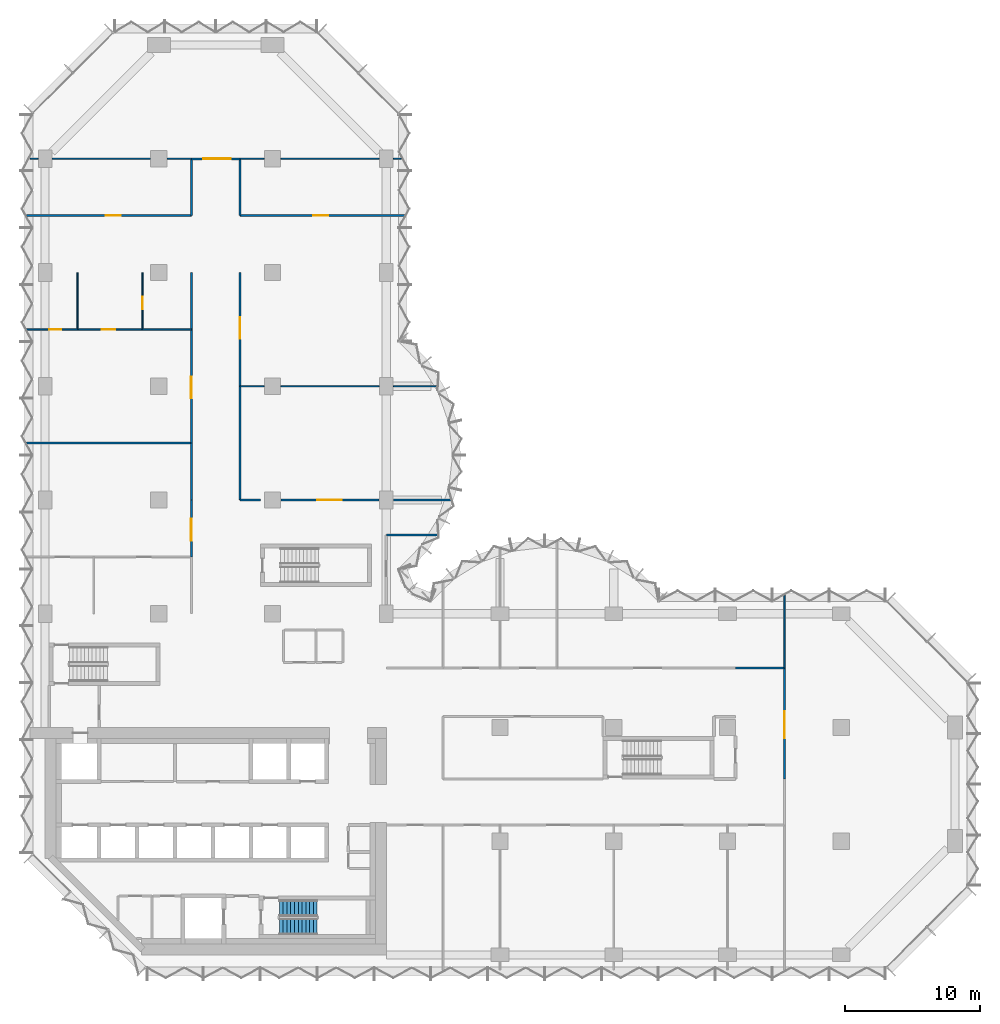
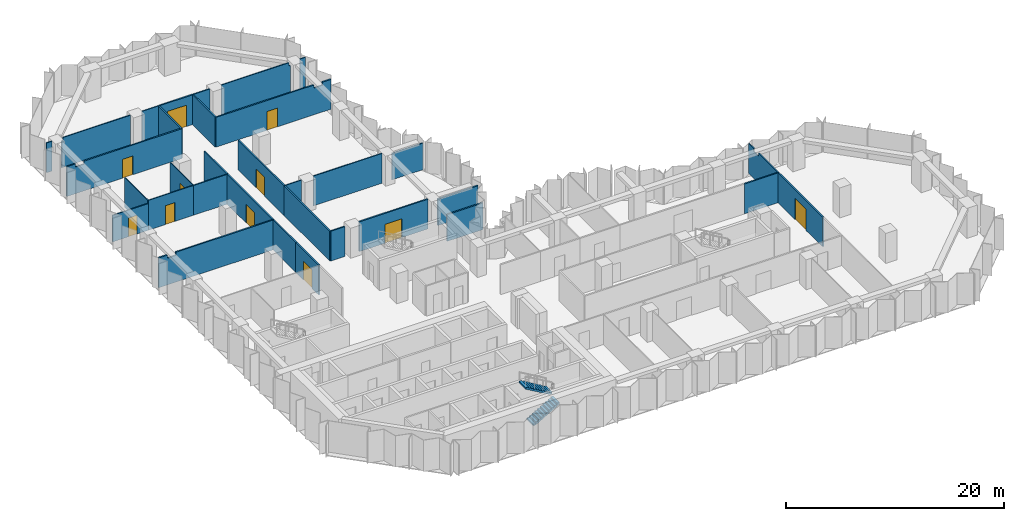
# One storey, part 10 of 13: 33 walls, 11 doors, 2 stair flights, 11 openings, 1 element without a shape of its own.
"""IFC4 building model written with IfcOpenShell, lengths in metres."""

from ifc_helpers import new_model, si_unit, direction, frame, frame_2d, origin, place, context, subcontext, project, spatial, polyline, rectangle, outline, extrude, material, layer, layer_set, type_object, element, fill, aggregate, save


model = new_model("IFC4")

# Units and contexts
model_context = context("Model", 3, precision=1e-05, world=origin(), true_north=direction((0.0, 1.0)))
body_context = subcontext(model_context, "Body", "Model", "MODEL_VIEW")
ifc_project = project(units=[si_unit("LENGTHUNIT", "METRE"), si_unit("AREAUNIT", "SQUARE_METRE"), si_unit("VOLUMEUNIT", "CUBIC_METRE"), si_unit("PLANEANGLEUNIT", "RADIAN"), si_unit("MASSUNIT", "GRAM", prefix="KILO")], contexts=[model_context])

# Site, building, storey
site_placement = place(None, origin())
site = spatial("IfcSite", under=ifc_project, at=site_placement, CompositionType="ELEMENT")
building_placement = place(site_placement, origin())
building = spatial("IfcBuilding", under=site, at=building_placement, Name="Brevane Broadcast Tower", CompositionType="ELEMENT")
storey_placement = place(building_placement, frame((0.0, 0.0, 120.5)))
storey = spatial("IfcBuildingStorey", under=building, at=storey_placement, Name="L29", CompositionType="ELEMENT", Elevation=120.5)

# Walls
ifc_material_1 = material(Name="Gypsum board partition")
ifc_layer_1 = layer(ifc_material_1, 0.10009765625)
ifc_layer_set_1 = layer_set([ifc_layer_1], Name="PARTITION 100 STUD")
wall_type_1 = type_object("IfcWallType", Name="PARTITION 100 STUD", PredefinedType="PARTITIONING", material=ifc_layer_set_1)
wall_1_placement = place(storey_placement, frame((54.60009765625, 21.199951171875, 0.0), z_axis=(0.0, 0.0, 1.0), x_axis=(0.0, 1.0, 0.0)))
element("IfcWall", 1, at=wall_1_placement, inside=storey, type_object=wall_type_1, Name="Partition G08-016", PredefinedType="PARTITIONING", context=body_context, shape_type="SweptSolid", body=[
    extrude(outline(polyline([(0.0, 0.0), (5.364990234375, 0.0), (5.364990234375, 3.330078125), (5.10009765625, 3.330078125), (4.449951171875, 3.330078125), (4.447998046875, 2.97998046875), (3.552001953125, 2.97998046875), (3.550048828125, 3.330078125), (0.0, 3.330078125), (0.0, 0.0)])), frame((0.0, 0.050048828125, 0.0), z_axis=(0.0, -1.0, 0.0), x_axis=(1.0, 0.0, 0.0)), (0.0, 0.0, 1.0), 0.10009765625),
])
wall_2_placement = place(storey_placement, frame((10.800048828125, 58.800048828125, 0.0), z_axis=(0.0, 0.0, 1.0), x_axis=(-1.0, 0.0, 0.0)))
element("IfcWall", 2, at=wall_2_placement, inside=storey, type_object=wall_type_1, Name="Partition G08-052", PredefinedType="PARTITIONING", context=body_context, shape_type="SweptSolid", body=[
    extrude(rectangle(XDim=1.780029296875, YDim=0.10009765625, at=frame_2d((0.89013671875, 0.0))), origin(), (0.0, 0.0, 1.0), 3.330078125),
])
wall_3_placement = place(storey_placement, frame((7.780029296875, 58.800048828125, 0.0), z_axis=(0.0, 0.0, 1.0), x_axis=(-1.0, 0.0, 0.0)))
element("IfcWall", 3, at=wall_3_placement, inside=storey, type_object=wall_type_1, Name="Partition G08-053", PredefinedType="PARTITIONING", context=body_context, shape_type="SweptSolid", body=[
    extrude(outline(polyline([(0.0, 0.0), (7.260009765625, 0.0), (7.260009765625, 2.97998046875), (7.1162109375, 2.97998046875), (7.1142578125, 3.330078125), (0.0, 3.330078125), (0.0, 0.0)])), frame((0.0, 0.050048828125, 0.0), z_axis=(0.0, -1.0, 0.0), x_axis=(1.0, 0.0, 0.0)), (0.0, 0.0, 1.0), 0.10009765625),
])
for number, where, z_axis, x_axis, name in (
    (4, (-0.52001953125, 58.800048828125, 0.0), (0.0, 0.0, 1.0), (-1.0, 0.0, 0.0), "Partition G08-054"),
    (5, (26.300048828125, 58.800048828125, 0.0), (0.0, 0.0, 1.0), (-1.0, 0.0, 0.0), "Partition G08-055"),
):
    element("IfcWall", number, at=place(storey_placement, frame(where, z_axis=z_axis, x_axis=x_axis)), inside=storey, type_object=wall_type_1, Name=name, PredefinedType="PARTITIONING", context=body_context, shape_type="SweptSolid", body=[
        extrude(rectangle(XDim=0.580078125, YDim=0.10009765625, at=frame_2d((0.2900390625, 0.0))), origin(), (0.0, 0.0, 1.0), 3.330078125),
    ])
wall_4_placement = place(storey_placement, frame((24.679931640625, 58.800048828125, 0.0), z_axis=(0.0, 0.0, 1.0), x_axis=(-1.0, 0.0, 0.0)))
element("IfcWall", 6, at=wall_4_placement, inside=storey, type_object=wall_type_1, Name="Partition G08-056", PredefinedType="PARTITIONING", context=body_context, shape_type="SweptSolid", body=[
    extrude(outline(polyline([(0.0, 0.0), (7.260009765625, 0.0), (7.260009765625, 3.330078125), (0.145751953125, 3.330078125), (0.143798828125, 2.97998046875), (0.0, 2.97998046875), (0.0, 0.0)])), frame((0.0, 0.050048828125, 0.0), z_axis=(0.0, -1.0, 0.0), x_axis=(1.0, 0.0, 0.0)), (0.0, 0.0, 1.0), 0.10009765625),
])
wall_5_placement = place(storey_placement, frame((16.179931640625, 58.800048828125, 0.0), z_axis=(0.0, 0.0, 1.0), x_axis=(-1.0, 0.0, 0.0)))
element("IfcWall", 7, at=wall_5_placement, inside=storey, type_object=wall_type_1, Name="Partition G08-057", PredefinedType="PARTITIONING", context=body_context, shape_type="SweptSolid", body=[
    extrude(rectangle(XDim=1.780029296875, YDim=0.10009765625, at=frame_2d((0.89013671875, 0.0))), origin(), (0.0, 0.0, 1.0), 3.330078125),
])

# Wall, opening, door
wall_6_placement = place(storey_placement, frame((-1.364990234375, 46.199951171875, 0.0), z_axis=(0.0, 0.0, 1.0), x_axis=(1.0, 0.0, 0.0)))
wall_6 = element("IfcWall", 8, at=wall_6_placement, inside=storey, type_object=wall_type_1, Name="Partition G08-063", PredefinedType="PARTITIONING", context=body_context, shape_type="SweptSolid", body=[
    extrude(rectangle(XDim=3.764892578125, YDim=0.10009765625, at=frame_2d((1.88232421875, 0.0))), origin(), (0.0, 0.0, 1.0), 2.97998046875),
])
opening_1_placement = place(wall_6_placement, frame((1.6650390625, 0.0, 0.0)))
opening_1 = element("IfcOpeningElement", 9, at=opening_1_placement, cuts=wall_6, Name="Opening D15-018", PredefinedType="OPENING", context=body_context, shape_type="SweptSolid", body=[
    extrude(rectangle(XDim=0.89990234375, YDim=2.10009765625, at=frame_2d((0.449951171875, 1.050048828125))), frame((0.0, 0.06005859375, 0.0), z_axis=(0.0, -1.0, 0.0), x_axis=(1.0, 0.0, 0.0)), (0.0, 0.0, 1.0), 0.1201171875),
])
ifc_material_2 = material(Name="Timber door leaf", Category="wood")
door_type_1 = type_object("IfcDoorType", Name="DOOR SINGLE 900 INTERNAL", OperationType="SINGLE_SWING_LEFT", PredefinedType="DOOR", material=ifc_material_2)
door_1_placement = place(opening_1_placement, origin())
door_1 = element("IfcDoor", 10, at=door_1_placement, inside=storey, type_object=door_type_1, Name="Door D15-018", OperationType="SINGLE_SWING_LEFT", OverallHeight=2.10009765625, OverallWidth=0.89990234375, PredefinedType="DOOR", context=body_context, shape_type="SweptSolid", body=[
    extrude(rectangle(XDim=0.89990234375, YDim=2.10009765625, at=frame_2d((0.449951171875, 1.050048828125))), frame((0.0, 0.02490234375, 0.0), z_axis=(0.0, -1.0, 0.0), x_axis=(1.0, 0.0, 0.0)), (0.0, 0.0, 1.0), 0.050048828125),
])
fill(opening_1, door_1)

wall_7_placement = place(storey_placement, frame((2.39990234375, 46.199951171875, 0.0), z_axis=(0.0, 0.0, 1.0), x_axis=(1.0, 0.0, 0.0)))
wall_7 = element("IfcWall", 11, at=wall_7_placement, inside=storey, type_object=wall_type_1, Name="Partition G08-064", PredefinedType="PARTITIONING", context=body_context, shape_type="SweptSolid", body=[
    extrude(rectangle(XDim=4.800048828125, YDim=0.10009765625, at=frame_2d((2.39990234375, 0.0))), origin(), (0.0, 0.0, 1.0), 3.330078125),
])
opening_2_placement = place(wall_7_placement, frame((1.800048828125, 0.0, 0.0)))
opening_2 = element("IfcOpeningElement", 12, at=opening_2_placement, cuts=wall_7, Name="Opening D15-019", PredefinedType="OPENING", context=body_context, shape_type="SweptSolid", body=[
    extrude(rectangle(XDim=1.0, YDim=2.10009765625, at=frame_2d((0.5, 1.050048828125))), frame((0.0, 0.06005859375, 0.0), z_axis=(0.0, -1.0, 0.0), x_axis=(1.0, 0.0, 0.0)), (0.0, 0.0, 1.0), 0.1201171875),
])
door_type_2 = type_object("IfcDoorType", Name="DOOR SINGLE 1000 INTERNAL", OperationType="SINGLE_SWING_LEFT", PredefinedType="DOOR", material=ifc_material_2)
door_2_placement = place(opening_2_placement, origin())
door_2 = element("IfcDoor", 13, at=door_2_placement, inside=storey, type_object=door_type_2, Name="Door D15-019", OperationType="SINGLE_SWING_LEFT", OverallHeight=2.10009765625, OverallWidth=1.0, PredefinedType="DOOR", context=body_context, shape_type="SweptSolid", body=[
    extrude(rectangle(XDim=1.0, YDim=2.10009765625, at=frame_2d((0.5, 1.050048828125))), frame((0.0, 0.02490234375, 0.0), z_axis=(0.0, -1.0, 0.0), x_axis=(1.0, 0.0, 0.0)), (0.0, 0.0, 1.0), 0.050048828125),
])
fill(opening_2, door_2)

# Walls
wall_8_placement = place(storey_placement, frame((7.199951171875, 46.199951171875, 0.0), z_axis=(0.0, 0.0, 1.0), x_axis=(1.0, 0.0, 0.0)))
element("IfcWall", 14, at=wall_8_placement, inside=storey, type_object=wall_type_1, Name="Partition G08-065", PredefinedType="PARTITIONING", context=body_context, shape_type="SweptSolid", body=[
    extrude(rectangle(XDim=3.60009765625, YDim=0.10009765625, at=frame_2d((1.800048828125, 0.0))), origin(), (0.0, 0.0, 1.0), 3.330078125),
])
wall_9_placement = place(storey_placement, frame((2.39990234375, 50.39990234375, 0.0), z_axis=(0.0, 0.0, 1.0), x_axis=(0.0, -1.0, 0.0)))
element("IfcWall", 15, at=wall_9_placement, inside=storey, type_object=wall_type_1, Name="Partition G08-066", PredefinedType="PARTITIONING", context=body_context, shape_type="SweptSolid", body=[
    extrude(rectangle(XDim=4.199951171875, YDim=0.10009765625, at=frame_2d((2.10009765625, 0.0))), origin(), (0.0, 0.0, 1.0), 3.330078125),
])

# Wall, opening, door
wall_10_placement = place(storey_placement, frame((7.199951171875, 50.39990234375, 0.0), z_axis=(0.0, 0.0, 1.0), x_axis=(0.0, -1.0, 0.0)))
wall_10 = element("IfcWall", 16, at=wall_10_placement, inside=storey, type_object=wall_type_1, Name="Partition G08-067", PredefinedType="PARTITIONING", context=body_context, shape_type="SweptSolid", body=[
    extrude(rectangle(XDim=4.199951171875, YDim=0.10009765625, at=frame_2d((2.10009765625, 0.0))), origin(), (0.0, 0.0, 1.0), 3.330078125),
])
opening_3_placement = place(wall_10_placement, frame((1.800048828125, 0.0, 0.0)))
opening_3 = element("IfcOpeningElement", 17, at=opening_3_placement, cuts=wall_10, Name="Opening D15-020", PredefinedType="OPENING", context=body_context, shape_type="SweptSolid", body=[
    extrude(rectangle(XDim=0.89990234375, YDim=2.10009765625, at=frame_2d((0.449951171875, 1.050048828125))), frame((0.0, 0.06005859375, 0.0), z_axis=(0.0, -1.0, 0.0), x_axis=(1.0, 0.0, 0.0)), (0.0, 0.0, 1.0), 0.1201171875),
])
door_3_placement = place(opening_3_placement, origin())
door_3 = element("IfcDoor", 18, at=door_3_placement, inside=storey, type_object=door_type_1, Name="Door D15-020", OperationType="SINGLE_SWING_LEFT", OverallHeight=2.10009765625, OverallWidth=0.89990234375, PredefinedType="DOOR", context=body_context, shape_type="SweptSolid", body=[
    extrude(rectangle(XDim=0.89990234375, YDim=2.10009765625, at=frame_2d((0.449951171875, 1.050048828125))), frame((0.0, 0.02490234375, 0.0), z_axis=(0.0, -1.0, 0.0), x_axis=(1.0, 0.0, 0.0)), (0.0, 0.0, 1.0), 0.050048828125),
])
fill(opening_3, door_3)

# Walls
wall_11_placement = place(storey_placement, frame((14.39990234375, 42.0, 0.0), z_axis=(0.0, 0.0, 1.0), x_axis=(1.0, 0.0, 0.0)))
element("IfcWall", 19, at=wall_11_placement, inside=storey, type_object=wall_type_1, Name="Partition G08-069", PredefinedType="PARTITIONING", context=body_context, shape_type="SweptSolid", body=[
    extrude(rectangle(XDim=1.780029296875, YDim=0.10009765625, at=frame_2d((0.89013671875, 0.0))), origin(), (0.0, 0.0, 1.0), 3.330078125),
])
wall_12_placement = place(storey_placement, frame((17.419921875, 42.0, 0.0), z_axis=(0.0, 0.0, 1.0), x_axis=(1.0, 0.0, 0.0)))
element("IfcWall", 20, at=wall_12_placement, inside=storey, type_object=wall_type_1, Name="Partition G08-070", PredefinedType="PARTITIONING", context=body_context, shape_type="SweptSolid", body=[
    extrude(rectangle(XDim=7.260009765625, YDim=0.10009765625, at=frame_2d((3.6298828125, 0.0))), origin(), (0.0, 0.0, 1.0), 3.330078125),
])
wall_13_placement = place(storey_placement, frame((25.719970703125, 42.0, 0.0), z_axis=(0.0, 0.0, 1.0), x_axis=(1.0, 0.0, 0.0)))
element("IfcWall", 21, at=wall_13_placement, inside=storey, type_object=wall_type_1, Name="Partition G08-071", PredefinedType="PARTITIONING", context=body_context, shape_type="SweptSolid", body=[
    extrude(rectangle(XDim=3.29150390625, YDim=0.10009765625, at=frame_2d((1.645751953125, 0.0))), origin(), (0.0, 0.0, 1.0), 2.97998046875),
])
ifc_layer_2 = layer(ifc_material_1, 0.14990234375)
ifc_layer_set_2 = layer_set([ifc_layer_2], Name="PARTITION 150 EI 60")
wall_type_2 = type_object("IfcWallType", Name="PARTITION 150 EI 60", PredefinedType="PARTITIONING", material=ifc_layer_set_2)
wall_14_placement = place(storey_placement, frame((25.199951171875, 31.0, 0.0), z_axis=(0.0, 0.0, 1.0), x_axis=(1.0, 0.0, 0.0)))
element("IfcWall", 22, at=wall_14_placement, inside=storey, type_object=wall_type_2, Name="Partition G08-006", PredefinedType="PARTITIONING", context=body_context, shape_type="SweptSolid", body=[
    extrude(rectangle(XDim=3.80615234375, YDim=0.14990234375, at=frame_2d((1.903076171875, 0.0))), origin(), (0.0, 0.0, 1.0), 2.97998046875),
])

# Wall, opening, door
wall_15_placement = place(storey_placement, frame((54.60009765625, 21.199951171875, 0.0), z_axis=(0.0, 0.0, 1.0), x_axis=(0.0, -1.0, 0.0)))
wall_15 = element("IfcWall", 23, at=wall_15_placement, inside=storey, type_object=wall_type_2, Name="Partition G08-014", PredefinedType="PARTITIONING", context=body_context, shape_type="SweptSolid", body=[
    extrude(rectangle(XDim=8.199951171875, YDim=0.14990234375, at=frame_2d((4.10009765625, 0.0))), origin(), (0.0, 0.0, 1.0), 3.330078125),
])
opening_4_placement = place(wall_15_placement, frame((3.199951171875, 0.0, 0.0)))
opening_4 = element("IfcOpeningElement", 24, at=opening_4_placement, cuts=wall_15, Name="Opening D15-002", PredefinedType="OPENING", context=body_context, shape_type="SweptSolid", body=[
    extrude(rectangle(XDim=2.0, YDim=2.39990234375, at=frame_2d((1.0, 1.199951171875))), frame((0.0, 0.0849609375, 0.0), z_axis=(0.0, -1.0, 0.0), x_axis=(1.0, 0.0, 0.0)), (0.0, 0.0, 1.0), 0.169921875),
])
ifc_material_3 = material(Name="Fire-rated timber door leaf", Category="wood")
door_type_3 = type_object("IfcDoorType", Name="DOOR DOUBLE 2000 FD30S", OperationType="DOUBLE_DOOR_SINGLE_SWING", PredefinedType="DOOR", material=ifc_material_3)
door_4_placement = place(opening_4_placement, origin())
door_4 = element("IfcDoor", 25, at=door_4_placement, inside=storey, type_object=door_type_3, Name="Door D15-002", OperationType="DOUBLE_DOOR_SINGLE_SWING", OverallHeight=2.39990234375, OverallWidth=2.0, PredefinedType="DOOR", context=body_context, shape_type="SweptSolid", body=[
    extrude(rectangle(XDim=2.0, YDim=2.39990234375, at=frame_2d((1.0, 1.199951171875))), frame((0.0, 0.02490234375, 0.0), z_axis=(0.0, -1.0, 0.0), x_axis=(1.0, 0.0, 0.0)), (0.0, 0.0, 1.0), 0.050048828125),
])
fill(opening_4, door_4)

# Wall
wall_16_placement = place(storey_placement, frame((51.0, 21.199951171875, 0.0), z_axis=(0.0, 0.0, 1.0), x_axis=(1.0, 0.0, 0.0)))
element("IfcWall", 26, at=wall_16_placement, inside=storey, type_object=wall_type_2, Name="Partition G08-025", PredefinedType="PARTITIONING", context=body_context, shape_type="SweptSolid", body=[
    extrude(rectangle(XDim=3.60009765625, YDim=0.14990234375, at=frame_2d((1.800048828125, 0.0))), origin(), (0.0, 0.0, 1.0), 3.330078125),
])

# Wall, opening, door
wall_17_placement = place(storey_placement, frame((10.800048828125, 29.39990234375, 0.0), z_axis=(0.0, 0.0, 1.0), x_axis=(0.0, 1.0, 0.0)))
wall_17 = element("IfcWall", 27, at=wall_17_placement, inside=storey, type_object=wall_type_2, Name="Partition G08-039", PredefinedType="PARTITIONING", context=body_context, shape_type="SweptSolid", body=[
    extrude(rectangle(XDim=4.2001953125, YDim=0.14990234375, at=frame_2d((2.10009765625, 0.0))), origin(), (0.0, 0.0, 1.0), 3.330078125),
])
opening_5_placement = place(wall_17_placement, frame((1.199951171875, 0.0, 0.0)))
opening_5 = element("IfcOpeningElement", 28, at=opening_5_placement, cuts=wall_17, Name="Opening D15-014", PredefinedType="OPENING", context=body_context, shape_type="SweptSolid", body=[
    extrude(rectangle(XDim=1.60009765625, YDim=2.10009765625, at=frame_2d((0.800048828125, 1.050048828125))), frame((0.0, 0.0849609375, 0.0), z_axis=(0.0, -1.0, 0.0), x_axis=(1.0, 0.0, 0.0)), (0.0, 0.0, 1.0), 0.169921875),
])
door_type_4 = type_object("IfcDoorType", Name="DOOR DOUBLE 1600 FD30S", OperationType="DOUBLE_DOOR_SINGLE_SWING", PredefinedType="DOOR", material=ifc_material_3)
door_5_placement = place(opening_5_placement, origin())
door_5 = element("IfcDoor", 29, at=door_5_placement, inside=storey, type_object=door_type_4, Name="Door D15-014", OperationType="DOUBLE_DOOR_SINGLE_SWING", OverallHeight=2.10009765625, OverallWidth=1.60009765625, PredefinedType="DOOR", context=body_context, shape_type="SweptSolid", body=[
    extrude(rectangle(XDim=1.60009765625, YDim=2.10009765625, at=frame_2d((0.800048828125, 1.050048828125))), frame((0.0, 0.02490234375, 0.0), z_axis=(0.0, -1.0, 0.0), x_axis=(1.0, 0.0, 0.0)), (0.0, 0.0, 1.0), 0.050048828125),
])
fill(opening_5, door_5)

# Wall
wall_18_placement = place(storey_placement, frame((14.39990234375, 33.60009765625, 0.0), z_axis=(0.0, 0.0, 1.0), x_axis=(1.0, 0.0, 0.0)))
element("IfcWall", 30, at=wall_18_placement, inside=storey, type_object=wall_type_2, Name="Partition G08-041", PredefinedType="PARTITIONING", context=body_context, shape_type="SweptSolid", body=[
    extrude(rectangle(XDim=1.5, YDim=0.14990234375, at=frame_2d((0.75, 0.0))), origin(), (0.0, 0.0, 1.0), 3.330078125),
])

# Wall, opening, door
wall_19_placement = place(storey_placement, frame((17.419921875, 33.60009765625, 0.0), z_axis=(0.0, 0.0, 1.0), x_axis=(1.0, 0.0, 0.0)))
wall_19 = element("IfcWall", 31, at=wall_19_placement, inside=storey, type_object=wall_type_2, Name="Partition G08-042", PredefinedType="PARTITIONING", context=body_context, shape_type="SweptSolid", body=[
    extrude(rectangle(XDim=7.260009765625, YDim=0.14990234375, at=frame_2d((3.6298828125, 0.0))), origin(), (0.0, 0.0, 1.0), 3.330078125),
])
opening_6_placement = place(wall_19_placement, frame((2.699951171875, 0.0, 0.0)))
opening_6 = element("IfcOpeningElement", 32, at=opening_6_placement, cuts=wall_19, Name="Opening D15-022", PredefinedType="OPENING", context=body_context, shape_type="SweptSolid", body=[
    extrude(rectangle(XDim=1.800048828125, YDim=2.10009765625, at=frame_2d((0.89990234375, 1.050048828125))), frame((0.0, 0.0849609375, 0.0), z_axis=(0.0, -1.0, 0.0), x_axis=(1.0, 0.0, 0.0)), (0.0, 0.0, 1.0), 0.169921875),
])
door_type_5 = type_object("IfcDoorType", Name="DOOR DOUBLE 1800 FD30S", OperationType="DOUBLE_DOOR_SINGLE_SWING", PredefinedType="DOOR", material=ifc_material_3)
door_6_placement = place(opening_6_placement, origin())
door_6 = element("IfcDoor", 33, at=door_6_placement, inside=storey, type_object=door_type_5, Name="Door D15-022", OperationType="DOUBLE_DOOR_SINGLE_SWING", OverallHeight=2.10009765625, OverallWidth=1.800048828125, PredefinedType="DOOR", context=body_context, shape_type="SweptSolid", body=[
    extrude(rectangle(XDim=1.800048828125, YDim=2.10009765625, at=frame_2d((0.89990234375, 1.050048828125))), frame((0.0, 0.02490234375, 0.0), z_axis=(0.0, -1.0, 0.0), x_axis=(1.0, 0.0, 0.0)), (0.0, 0.0, 1.0), 0.050048828125),
])
fill(opening_6, door_6)

# Wall
wall_20_placement = place(storey_placement, frame((25.719970703125, 33.60009765625, 0.0), z_axis=(0.0, 0.0, 1.0), x_axis=(1.0, 0.0, 0.0)))
element("IfcWall", 34, at=wall_20_placement, inside=storey, type_object=wall_type_2, Name="Partition G08-043", PredefinedType="PARTITIONING", context=body_context, shape_type="SweptSolid", body=[
    extrude(rectangle(XDim=4.268310546875, YDim=0.14990234375, at=frame_2d((2.13427734375, 0.0))), origin(), (0.0, 0.0, 1.0), 2.97998046875),
])

# Wall, opening, door
wall_21_placement = place(storey_placement, frame((10.800048828125, 58.800048828125, 0.0), z_axis=(0.0, 0.0, 1.0), x_axis=(1.0, 0.0, 0.0)))
wall_21 = element("IfcWall", 35, at=wall_21_placement, inside=storey, type_object=wall_type_2, Name="Partition G08-044", PredefinedType="PARTITIONING", context=body_context, shape_type="SweptSolid", body=[
    extrude(rectangle(XDim=3.599853515625, YDim=0.14990234375, at=frame_2d((1.7998046875, 0.0))), origin(), (0.0, 0.0, 1.0), 3.330078125),
])
opening_7_placement = place(wall_21_placement, frame((0.89990234375, 0.0, 0.0)))
opening_7 = element("IfcOpeningElement", 36, at=opening_7_placement, cuts=wall_21, Name="Opening D15-013", PredefinedType="OPENING", context=body_context, shape_type="SweptSolid", body=[
    extrude(rectangle(XDim=2.0, YDim=2.39990234375, at=frame_2d((1.0, 1.199951171875))), frame((0.0, 0.0849609375, 0.0), z_axis=(0.0, -1.0, 0.0), x_axis=(1.0, 0.0, 0.0)), (0.0, 0.0, 1.0), 0.169921875),
])
door_7_placement = place(opening_7_placement, origin())
door_7 = element("IfcDoor", 37, at=door_7_placement, inside=storey, type_object=door_type_3, Name="Door D15-013", OperationType="DOUBLE_DOOR_SINGLE_SWING", OverallHeight=2.39990234375, OverallWidth=2.0, PredefinedType="DOOR", context=body_context, shape_type="SweptSolid", body=[
    extrude(rectangle(XDim=2.0, YDim=2.39990234375, at=frame_2d((1.0, 1.199951171875))), frame((0.0, 0.02490234375, 0.0), z_axis=(0.0, -1.0, 0.0), x_axis=(1.0, 0.0, 0.0)), (0.0, 0.0, 1.0), 0.050048828125),
])
fill(opening_7, door_7)

# Wall
wall_22_placement = place(storey_placement, frame((10.800048828125, 33.60009765625, 0.0), z_axis=(0.0, 0.0, 1.0), x_axis=(0.0, 1.0, 0.0)))
element("IfcWall", 38, at=wall_22_placement, inside=storey, type_object=wall_type_2, Name="Partition G08-045", PredefinedType="PARTITIONING", context=body_context, shape_type="SweptSolid", body=[
    extrude(rectangle(XDim=4.199951171875, YDim=0.14990234375, at=frame_2d((2.10009765625, 0.0))), origin(), (0.0, 0.0, 1.0), 3.330078125),
])

# Wall, opening, door
wall_23_placement = place(storey_placement, frame((10.800048828125, 37.800048828125, 0.0), z_axis=(0.0, 0.0, 1.0), x_axis=(0.0, 1.0, 0.0)))
wall_23 = element("IfcWall", 39, at=wall_23_placement, inside=storey, type_object=wall_type_2, Name="Partition G08-046", PredefinedType="PARTITIONING", context=body_context, shape_type="SweptSolid", body=[
    extrude(rectangle(XDim=8.39990234375, YDim=0.14990234375, at=frame_2d((4.199951171875, 0.0))), origin(), (0.0, 0.0, 1.0), 3.330078125),
])
opening_8_placement = place(wall_23_placement, frame((3.300048828125, 0.0, 0.0)))
opening_8 = element("IfcOpeningElement", 40, at=opening_8_placement, cuts=wall_23, Name="Opening D15-017", PredefinedType="OPENING", context=body_context, shape_type="SweptSolid", body=[
    extrude(rectangle(XDim=1.60009765625, YDim=2.10009765625, at=frame_2d((0.800048828125, 1.050048828125))), frame((0.0, 0.0849609375, 0.0), z_axis=(0.0, -1.0, 0.0), x_axis=(1.0, 0.0, 0.0)), (0.0, 0.0, 1.0), 0.169921875),
])
door_8_placement = place(opening_8_placement, origin())
door_8 = element("IfcDoor", 41, at=door_8_placement, inside=storey, type_object=door_type_4, Name="Door D15-017", OperationType="DOUBLE_DOOR_SINGLE_SWING", OverallHeight=2.10009765625, OverallWidth=1.60009765625, PredefinedType="DOOR", context=body_context, shape_type="SweptSolid", body=[
    extrude(rectangle(XDim=1.60009765625, YDim=2.10009765625, at=frame_2d((0.800048828125, 1.050048828125))), frame((0.0, 0.02490234375, 0.0), z_axis=(0.0, -1.0, 0.0), x_axis=(1.0, 0.0, 0.0)), (0.0, 0.0, 1.0), 0.050048828125),
])
fill(opening_8, door_8)

# Walls
for number, where, z_axis, x_axis, name in (
    (42, (10.800048828125, 46.199951171875, 0.0), (0.0, 0.0, 1.0), (0.0, 1.0, 0.0), "Partition G08-047"),
    (43, (10.800048828125, 54.60009765625, 0.0), (0.0, 0.0, 1.0), (0.0, 1.0, 0.0), "Partition G08-048"),
):
    element("IfcWall", number, at=place(storey_placement, frame(where, z_axis=z_axis, x_axis=x_axis)), inside=storey, type_object=wall_type_2, Name=name, PredefinedType="PARTITIONING", context=body_context, shape_type="SweptSolid", body=[
        extrude(rectangle(XDim=4.199951171875, YDim=0.14990234375, at=frame_2d((2.10009765625, 0.0))), origin(), (0.0, 0.0, 1.0), 3.330078125),
    ])
wall_24_placement = place(storey_placement, frame((14.39990234375, 42.0, 0.0), z_axis=(0.0, 0.0, 1.0), x_axis=(0.0, -1.0, 0.0)))
element("IfcWall", 44, at=wall_24_placement, inside=storey, type_object=wall_type_2, Name="Partition G08-049", PredefinedType="PARTITIONING", context=body_context, shape_type="SweptSolid", body=[
    extrude(rectangle(XDim=8.39990234375, YDim=0.14990234375, at=frame_2d((4.199951171875, 0.0))), origin(), (0.0, 0.0, 1.0), 3.330078125),
])

# Wall, opening, door
wall_25_placement = place(storey_placement, frame((14.39990234375, 50.39990234375, 0.0), z_axis=(0.0, 0.0, 1.0), x_axis=(0.0, -1.0, 0.0)))
wall_25 = element("IfcWall", 45, at=wall_25_placement, inside=storey, type_object=wall_type_2, Name="Partition G08-050", PredefinedType="PARTITIONING", context=body_context, shape_type="SweptSolid", body=[
    extrude(rectangle(XDim=8.39990234375, YDim=0.14990234375, at=frame_2d((4.199951171875, 0.0))), origin(), (0.0, 0.0, 1.0), 3.330078125),
])
opening_9_placement = place(wall_25_placement, frame((3.300048828125, 0.0, 0.0)))
opening_9 = element("IfcOpeningElement", 46, at=opening_9_placement, cuts=wall_25, Name="Opening D15-023", PredefinedType="OPENING", context=body_context, shape_type="SweptSolid", body=[
    extrude(rectangle(XDim=1.60009765625, YDim=2.10009765625, at=frame_2d((0.800048828125, 1.050048828125))), frame((0.0, 0.0849609375, 0.0), z_axis=(0.0, -1.0, 0.0), x_axis=(1.0, 0.0, 0.0)), (0.0, 0.0, 1.0), 0.169921875),
])
door_9_placement = place(opening_9_placement, origin())
door_9 = element("IfcDoor", 47, at=door_9_placement, inside=storey, type_object=door_type_4, Name="Door D15-023", OperationType="DOUBLE_DOOR_SINGLE_SWING", OverallHeight=2.10009765625, OverallWidth=1.60009765625, PredefinedType="DOOR", context=body_context, shape_type="SweptSolid", body=[
    extrude(rectangle(XDim=1.60009765625, YDim=2.10009765625, at=frame_2d((0.800048828125, 1.050048828125))), frame((0.0, 0.02490234375, 0.0), z_axis=(0.0, -1.0, 0.0), x_axis=(1.0, 0.0, 0.0)), (0.0, 0.0, 1.0), 0.050048828125),
])
fill(opening_9, door_9)

# Wall
wall_26_placement = place(storey_placement, frame((14.39990234375, 58.800048828125, 0.0), z_axis=(0.0, 0.0, 1.0), x_axis=(0.0, -1.0, 0.0)))
element("IfcWall", 48, at=wall_26_placement, inside=storey, type_object=wall_type_2, Name="Partition G08-051", PredefinedType="PARTITIONING", context=body_context, shape_type="SweptSolid", body=[
    extrude(rectangle(XDim=4.199951171875, YDim=0.14990234375, at=frame_2d((2.10009765625, 0.0))), origin(), (0.0, 0.0, 1.0), 3.330078125),
])

# Wall, opening, door
wall_27_placement = place(storey_placement, frame((-1.364990234375, 54.60009765625, 0.0), z_axis=(0.0, 0.0, 1.0), x_axis=(1.0, 0.0, 0.0)))
wall_27 = element("IfcWall", 49, at=wall_27_placement, inside=storey, type_object=wall_type_2, Name="Partition G08-058", PredefinedType="PARTITIONING", context=body_context, shape_type="SweptSolid", body=[
    extrude(outline(polyline([(0.0, 0.0), (12.1650390625, 0.0), (12.1650390625, 3.330078125), (1.81494140625, 3.330078125), (1.81298828125, 2.97998046875), (0.9169921875, 2.97998046875), (0.9150390625, 3.330078125), (0.264892578125, 3.330078125), (0.0, 3.330078125), (0.0, 0.0)])), frame((0.0, 0.074951171875, 0.0), z_axis=(0.0, -1.0, 0.0), x_axis=(1.0, 0.0, 0.0)), (0.0, 0.0, 1.0), 0.14990234375),
])
opening_10_placement = place(wall_27_placement, frame((5.864990234375, 0.0, 0.0)))
opening_10 = element("IfcOpeningElement", 50, at=opening_10_placement, cuts=wall_27, Name="Opening D15-021", PredefinedType="OPENING", context=body_context, shape_type="SweptSolid", body=[
    extrude(rectangle(XDim=1.10009765625, YDim=2.10009765625, at=frame_2d((0.550048828125, 1.050048828125))), frame((0.0, 0.0849609375, 0.0), z_axis=(0.0, -1.0, 0.0), x_axis=(1.0, 0.0, 0.0)), (0.0, 0.0, 1.0), 0.169921875),
])
door_type_6 = type_object("IfcDoorType", Name="DOOR SINGLE 1100 FD30S", OperationType="SINGLE_SWING_LEFT", PredefinedType="DOOR", material=ifc_material_3)
door_10_placement = place(opening_10_placement, origin())
door_10 = element("IfcDoor", 51, at=door_10_placement, inside=storey, type_object=door_type_6, Name="Door D15-021", OperationType="SINGLE_SWING_LEFT", OverallHeight=2.10009765625, OverallWidth=1.10009765625, PredefinedType="DOOR", context=body_context, shape_type="SweptSolid", body=[
    extrude(rectangle(XDim=1.10009765625, YDim=2.10009765625, at=frame_2d((0.550048828125, 1.050048828125))), frame((0.0, 0.02490234375, 0.0), z_axis=(0.0, -1.0, 0.0), x_axis=(1.0, 0.0, 0.0)), (0.0, 0.0, 1.0), 0.050048828125),
])
fill(opening_10, door_10)

# Wall
wall_28_placement = place(storey_placement, frame((-1.364990234375, 37.800048828125, 0.0), z_axis=(0.0, 0.0, 1.0), x_axis=(1.0, 0.0, 0.0)))
element("IfcWall", 52, at=wall_28_placement, inside=storey, type_object=wall_type_2, Name="Partition G08-061", PredefinedType="PARTITIONING", context=body_context, shape_type="SweptSolid", body=[
    extrude(outline(polyline([(0.0, 0.0), (12.1650390625, 0.0), (12.1650390625, 3.330078125), (1.81494140625, 3.330078125), (1.81298828125, 2.97998046875), (0.9169921875, 2.97998046875), (0.9150390625, 3.330078125), (0.264892578125, 3.330078125), (0.0, 3.330078125), (0.0, 0.0)])), frame((0.0, 0.074951171875, 0.0), z_axis=(0.0, -1.0, 0.0), x_axis=(1.0, 0.0, 0.0)), (0.0, 0.0, 1.0), 0.14990234375),
])

# Wall, opening, door
wall_29_placement = place(storey_placement, frame((14.39990234375, 54.60009765625, 0.0), z_axis=(0.0, 0.0, 1.0), x_axis=(1.0, 0.0, 0.0)))
wall_29 = element("IfcWall", 53, at=wall_29_placement, inside=storey, type_object=wall_type_2, Name="Partition G08-068", PredefinedType="PARTITIONING", context=body_context, shape_type="SweptSolid", body=[
    extrude(outline(polyline([(0.0, 0.0), (12.1650390625, 0.0), (12.1650390625, 3.330078125), (11.89990234375, 3.330078125), (11.25, 3.330078125), (11.248046875, 2.97998046875), (10.35205078125, 2.97998046875), (10.35009765625, 3.330078125), (0.0, 3.330078125), (0.0, 0.0)])), frame((0.0, 0.074951171875, 0.0), z_axis=(0.0, -1.0, 0.0), x_axis=(1.0, 0.0, 0.0)), (0.0, 0.0, 1.0), 0.14990234375),
])
opening_11_placement = place(wall_29_placement, frame((5.39990234375, 0.0, 0.0)))
opening_11 = element("IfcOpeningElement", 54, at=opening_11_placement, cuts=wall_29, Name="Opening D15-024", PredefinedType="OPENING", context=body_context, shape_type="SweptSolid", body=[
    extrude(rectangle(XDim=1.10009765625, YDim=2.10009765625, at=frame_2d((0.550048828125, 1.050048828125))), frame((0.0, 0.0849609375, 0.0), z_axis=(0.0, -1.0, 0.0), x_axis=(1.0, 0.0, 0.0)), (0.0, 0.0, 1.0), 0.169921875),
])
door_11_placement = place(opening_11_placement, origin())
door_11 = element("IfcDoor", 55, at=door_11_placement, inside=storey, type_object=door_type_6, Name="Door D15-024", OperationType="SINGLE_SWING_LEFT", OverallHeight=2.10009765625, OverallWidth=1.10009765625, PredefinedType="DOOR", context=body_context, shape_type="SweptSolid", body=[
    extrude(rectangle(XDim=1.10009765625, YDim=2.10009765625, at=frame_2d((0.550048828125, 1.050048828125))), frame((0.0, 0.02490234375, 0.0), z_axis=(0.0, -1.0, 0.0), x_axis=(1.0, 0.0, 0.0)), (0.0, 0.0, 1.0), 0.050048828125),
])
fill(opening_11, door_11)

# Stair, stair flights
ifc_material_4 = material(Name="Concrete C50/60", Category="concrete")
stair_type = type_object("IfcStairType", Name="Exit stair 22 risers", PredefinedType="HALF_TURN_STAIR", material=ifc_material_4)
stair_placement = place(storey_placement, origin())
stair = element("IfcStair", 56, at=stair_placement, inside=storey, type_object=stair_type, Name="L29 Exit stair ST-2", PredefinedType="HALF_TURN_STAIR")
stair_flight_type = type_object("IfcStairFlightType", Name="Exit stair flight 22 risers", PredefinedType="STRAIGHT", material=ifc_material_4)
stair_flight_1_placement = place(storey_placement, frame((17.300048828125, 2.10009765625, 0.0), z_axis=(0.0, 0.0, 1.0), x_axis=(1.0, 0.0, 0.0)))
stair_flight_1 = element("IfcStairFlight", 57, at=stair_flight_1_placement, type_object=stair_flight_type, Name="ST-2 flight 1", NumberOfRisers=11, NumberOfTreads=10, PredefinedType="STRAIGHT", RiserHeight=0.163636364, TreadLength=0.28, context=body_context, shape_type="SweptSolid", body=[
    extrude(outline(polyline([(0.0, 0.0), (0.0, 0.16357421875), (0.280029296875, 0.16357421875), (0.280029296875, 0.327392578125), (0.56005859375, 0.327392578125), (0.56005859375, 0.490966796875), (0.840087890625, 0.490966796875), (0.840087890625, 0.654541015625), (1.1201171875, 0.654541015625), (1.1201171875, 0.818115234375), (1.39990234375, 0.818115234375), (1.39990234375, 0.98193359375), (1.679931640625, 0.98193359375), (1.679931640625, 1.1455078125), (1.9599609375, 1.1455078125), (1.9599609375, 1.30908203125), (2.239990234375, 1.30908203125), (2.239990234375, 1.47265625), (2.52001953125, 1.47265625), (2.52001953125, 1.636474609375), (2.800048828125, 1.636474609375), (2.800048828125, 1.800048828125), (2.800048828125, 1.462646484375), (0.297119140625, 0.0), (0.0, 0.0)])), frame((0.0, 0.60009765625, 0.0), z_axis=(0.0, -1.0, 0.0), x_axis=(1.0, 0.0, 0.0)), (0.0, 0.0, 1.0), 1.199951171875),
])
stair_flight_2_placement = place(storey_placement, frame((20.10009765625, 3.449951171875, 1.800048828125), z_axis=(0.0, 0.0, 1.0), x_axis=(-1.0, 0.0, 0.0)))
stair_flight_2 = element("IfcStairFlight", 58, at=stair_flight_2_placement, type_object=stair_flight_type, Name="ST-2 flight 2", NumberOfRisers=11, NumberOfTreads=10, PredefinedType="STRAIGHT", RiserHeight=0.163636364, TreadLength=0.28, context=body_context, shape_type="SweptSolid", body=[
    extrude(outline(polyline([(0.0, 0.0), (0.0, 0.16357421875), (0.280029296875, 0.16357421875), (0.280029296875, 0.327392578125), (0.56005859375, 0.327392578125), (0.56005859375, 0.490966796875), (0.840087890625, 0.490966796875), (0.840087890625, 0.654541015625), (1.1201171875, 0.654541015625), (1.1201171875, 0.818115234375), (1.39990234375, 0.818115234375), (1.39990234375, 0.98193359375), (1.679931640625, 0.98193359375), (1.679931640625, 1.1455078125), (1.9599609375, 1.1455078125), (1.9599609375, 1.30908203125), (2.239990234375, 1.30908203125), (2.239990234375, 1.47265625), (2.52001953125, 1.47265625), (2.52001953125, 1.636474609375), (2.800048828125, 1.636474609375), (2.800048828125, 1.800048828125), (2.800048828125, 1.462646484375), (0.297119140625, 0.0), (0.0, 0.0)])), frame((0.0, 0.60009765625, 0.0), z_axis=(0.0, -1.0, 0.0), x_axis=(1.0, 0.0, 0.0)), (0.0, 0.0, 1.0), 1.199951171875),
])
aggregate(stair, [stair_flight_1, stair_flight_2])

save(model, "model.ifc")
